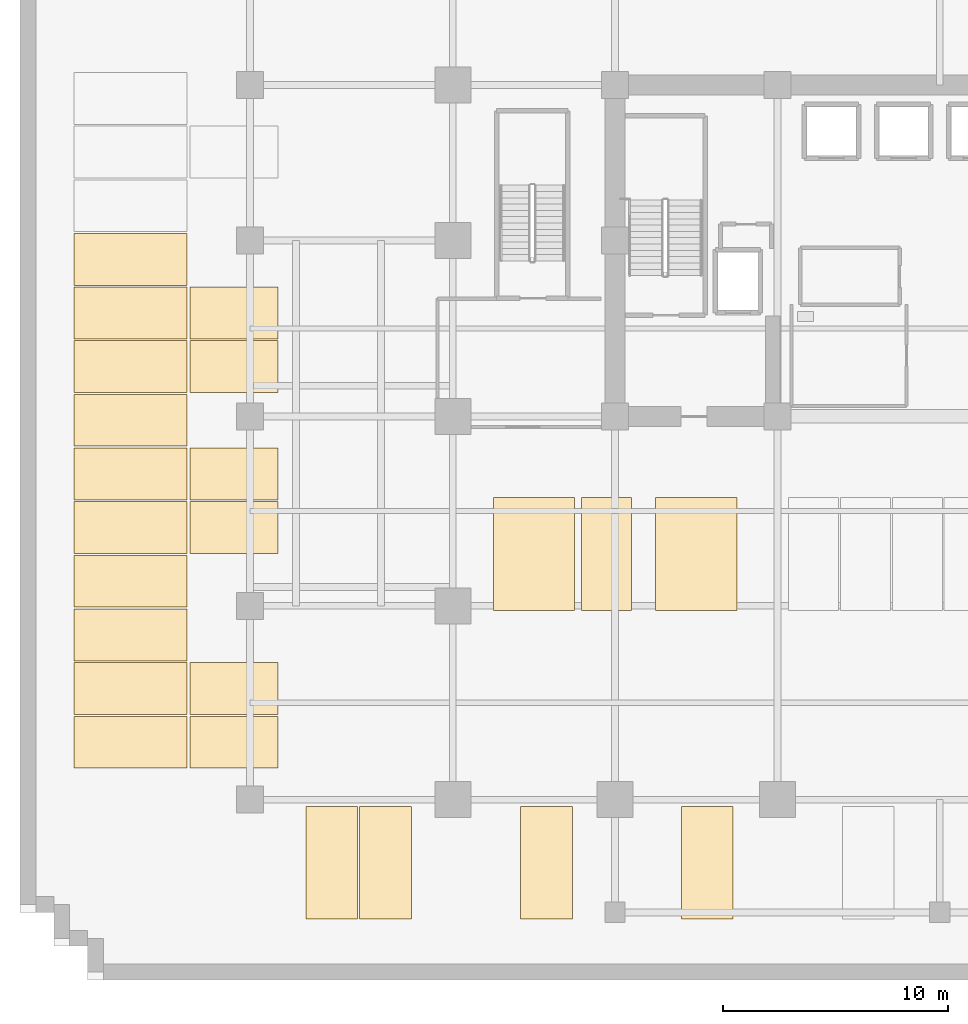
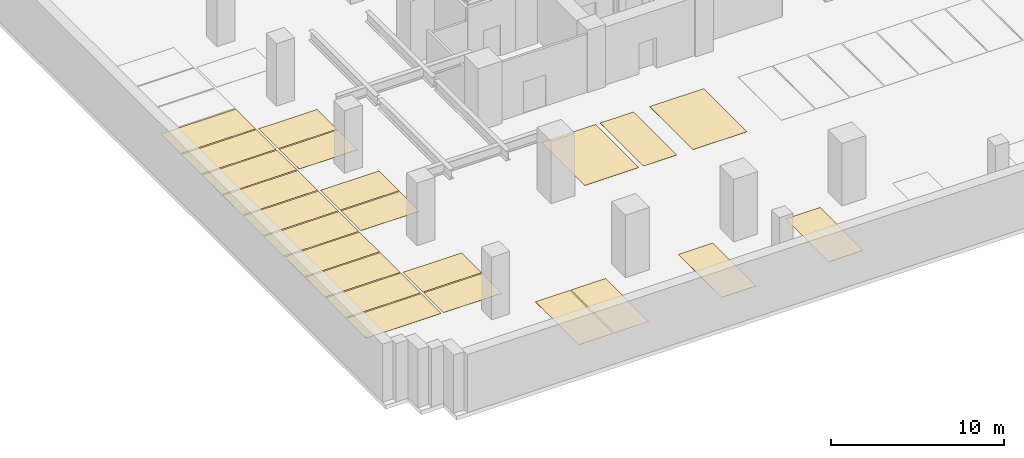
# One storey, part 7 of 14: 23 coverings.
"""IFC4 building model written with IfcOpenShell, lengths in metres."""

from ifc_helpers import new_model, si_unit, direction, frame, origin, place, context, subcontext, project, spatial, polyline, outline, extrude, material, layer, layer_set, type_object, element, save


model = new_model("IFC4")

# Units and contexts
model_context = context("Model", 3, precision=1e-05, world=origin(), true_north=direction((0.0, 1.0)))
body_context = subcontext(model_context, "Body", "Model", "MODEL_VIEW")
ifc_project = project(units=[si_unit("LENGTHUNIT", "METRE"), si_unit("AREAUNIT", "SQUARE_METRE"), si_unit("VOLUMEUNIT", "CUBIC_METRE"), si_unit("PLANEANGLEUNIT", "RADIAN"), si_unit("MASSUNIT", "GRAM", prefix="KILO")], contexts=[model_context])

# Site, building, storey
site_placement = place(None, origin())
site = spatial("IfcSite", under=ifc_project, at=site_placement, CompositionType="ELEMENT")
building_placement = place(site_placement, origin())
building = spatial("IfcBuilding", under=site, at=building_placement, Name="Zarnakvel Exchange Tower", CompositionType="ELEMENT")
storey_placement = place(building_placement, frame((0.0, 0.0, -4.39990234375)))
storey = spatial("IfcBuildingStorey", under=building, at=storey_placement, Name="B01", CompositionType="ELEMENT", Elevation=-4.39990234375)

# Coverings
ifc_material = material(Name="Thermoplastic Acrylic Bay Marking", Category="finish")
ifc_layer_1 = layer(ifc_material, 0.010009765625)
ifc_layer_set_1 = layer_set([ifc_layer_1], Name="Thermoplastic Acrylic Bay Marking")
covering_type_1 = type_object("IfcCoveringType", Name="MK-01", PredefinedType="FLOORING", material=ifc_layer_set_1)
covering_1_placement = place(storey_placement, origin())
element("IfcCovering", 1, at=covering_1_placement, inside=storey, type_object=covering_type_1, Name="B01 Standard Parking Bay Marking B01-03", PredefinedType="FLOORING", context=body_context, shape_type="SweptSolid", body=[
    extrude(outline(polyline([(-28.1201171875, -23.5), (-25.820068359375, -23.5), (-25.820068359375, -18.5), (-28.1201171875, -18.5), (-28.1201171875, -23.5)])), origin(), (0.0, 0.0, 1.0), 0.010009765625),
])
covering_2_placement = place(storey_placement, origin())
element("IfcCovering", 2, at=covering_2_placement, inside=storey, type_object=covering_type_1, Name="B01 Standard Parking Bay Marking B01-04", PredefinedType="FLOORING", context=body_context, shape_type="SweptSolid", body=[
    extrude(outline(polyline([(-25.739990234375, -23.5), (-23.43994140625, -23.5), (-23.43994140625, -18.5), (-25.739990234375, -18.5), (-25.739990234375, -23.5)])), origin(), (0.0, 0.0, 1.0), 0.010009765625),
])
covering_3_placement = place(storey_placement, origin())
element("IfcCovering", 3, at=covering_3_placement, inside=storey, type_object=covering_type_1, Name="B01 Standard Parking Bay Marking B01-05", PredefinedType="FLOORING", context=body_context, shape_type="SweptSolid", body=[
    extrude(outline(polyline([(-18.60009765625, -23.5), (-16.300048828125, -23.5), (-16.300048828125, -18.5), (-18.60009765625, -18.5), (-18.60009765625, -23.5)])), origin(), (0.0, 0.0, 1.0), 0.010009765625),
])
covering_4_placement = place(storey_placement, origin())
element("IfcCovering", 4, at=covering_4_placement, inside=storey, type_object=covering_type_1, Name="B01 Standard Parking Bay Marking B01-06", PredefinedType="FLOORING", context=body_context, shape_type="SweptSolid", body=[
    extrude(outline(polyline([(-11.4599609375, -23.5), (-9.159912109375, -23.5), (-9.159912109375, -18.5), (-11.4599609375, -18.5), (-11.4599609375, -23.5)])), origin(), (0.0, 0.0, 1.0), 0.010009765625),
])
covering_5_placement = place(storey_placement, origin())
element("IfcCovering", 5, at=covering_5_placement, inside=storey, type_object=covering_type_1, Name="B01 Standard Parking Bay Marking B01-13", PredefinedType="FLOORING", context=body_context, shape_type="SweptSolid", body=[
    extrude(outline(polyline([(-15.89990234375, -9.800048828125), (-13.679931640625, -9.800048828125), (-13.679931640625, -4.800048828125), (-15.89990234375, -4.800048828125), (-15.89990234375, -9.800048828125)])), origin(), (0.0, 0.0, 1.0), 0.010009765625),
])
covering_6_placement = place(storey_placement, origin())
element("IfcCovering", 6, at=covering_6_placement, inside=storey, type_object=covering_type_1, Name="B01 Standard Parking Bay Marking B01-25", PredefinedType="FLOORING", context=body_context, shape_type="SweptSolid", body=[
    extrude(outline(polyline([(-38.39990234375, -16.800048828125), (-33.39990234375, -16.800048828125), (-33.39990234375, -14.5), (-38.39990234375, -14.5), (-38.39990234375, -16.800048828125)])), origin(), (0.0, 0.0, 1.0), 0.010009765625),
])
covering_7_placement = place(storey_placement, origin())
element("IfcCovering", 7, at=covering_7_placement, inside=storey, type_object=covering_type_1, Name="B01 Standard Parking Bay Marking B01-26", PredefinedType="FLOORING", context=body_context, shape_type="SweptSolid", body=[
    extrude(outline(polyline([(-38.39990234375, -14.419921875), (-33.39990234375, -14.419921875), (-33.39990234375, -12.1201171875), (-38.39990234375, -12.1201171875), (-38.39990234375, -14.419921875)])), origin(), (0.0, 0.0, 1.0), 0.010009765625),
])
covering_8_placement = place(storey_placement, origin())
element("IfcCovering", 8, at=covering_8_placement, inside=storey, type_object=covering_type_1, Name="B01 Standard Parking Bay Marking B01-27", PredefinedType="FLOORING", context=body_context, shape_type="SweptSolid", body=[
    extrude(outline(polyline([(-38.39990234375, -12.0400390625), (-33.39990234375, -12.0400390625), (-33.39990234375, -9.739990234375), (-38.39990234375, -9.739990234375), (-38.39990234375, -12.0400390625)])), origin(), (0.0, 0.0, 1.0), 0.010009765625),
])
covering_9_placement = place(storey_placement, origin())
element("IfcCovering", 9, at=covering_9_placement, inside=storey, type_object=covering_type_1, Name="B01 Standard Parking Bay Marking B01-28", PredefinedType="FLOORING", context=body_context, shape_type="SweptSolid", body=[
    extrude(outline(polyline([(-38.39990234375, -9.659912109375), (-33.39990234375, -9.659912109375), (-33.39990234375, -7.360107421875), (-38.39990234375, -7.360107421875), (-38.39990234375, -9.659912109375)])), origin(), (0.0, 0.0, 1.0), 0.010009765625),
])
covering_10_placement = place(storey_placement, origin())
element("IfcCovering", 10, at=covering_10_placement, inside=storey, type_object=covering_type_1, Name="B01 Standard Parking Bay Marking B01-29", PredefinedType="FLOORING", context=body_context, shape_type="SweptSolid", body=[
    extrude(outline(polyline([(-38.39990234375, -7.280029296875), (-33.39990234375, -7.280029296875), (-33.39990234375, -4.97998046875), (-38.39990234375, -4.97998046875), (-38.39990234375, -7.280029296875)])), origin(), (0.0, 0.0, 1.0), 0.010009765625),
])
covering_11_placement = place(storey_placement, origin())
element("IfcCovering", 11, at=covering_11_placement, inside=storey, type_object=covering_type_1, Name="B01 Standard Parking Bay Marking B01-30", PredefinedType="FLOORING", context=body_context, shape_type="SweptSolid", body=[
    extrude(outline(polyline([(-38.39990234375, -4.89990234375), (-33.39990234375, -4.89990234375), (-33.39990234375, -2.60009765625), (-38.39990234375, -2.60009765625), (-38.39990234375, -4.89990234375)])), origin(), (0.0, 0.0, 1.0), 0.010009765625),
])
covering_12_placement = place(storey_placement, origin())
element("IfcCovering", 12, at=covering_12_placement, inside=storey, type_object=covering_type_1, Name="B01 Standard Parking Bay Marking B01-31", PredefinedType="FLOORING", context=body_context, shape_type="SweptSolid", body=[
    extrude(outline(polyline([(-38.39990234375, -2.52001953125), (-33.39990234375, -2.52001953125), (-33.39990234375, -0.219970703125), (-38.39990234375, -0.219970703125), (-38.39990234375, -2.52001953125)])), origin(), (0.0, 0.0, 1.0), 0.010009765625),
])
covering_13_placement = place(storey_placement, origin())
element("IfcCovering", 13, at=covering_13_placement, inside=storey, type_object=covering_type_1, Name="B01 Standard Parking Bay Marking B01-32", PredefinedType="FLOORING", context=body_context, shape_type="SweptSolid", body=[
    extrude(outline(polyline([(-38.39990234375, -0.139892578125), (-33.39990234375, -0.139892578125), (-33.39990234375, 2.159912109375), (-38.39990234375, 2.159912109375), (-38.39990234375, -0.139892578125)])), origin(), (0.0, 0.0, 1.0), 0.010009765625),
])
covering_14_placement = place(storey_placement, origin())
element("IfcCovering", 14, at=covering_14_placement, inside=storey, type_object=covering_type_1, Name="B01 Standard Parking Bay Marking B01-33", PredefinedType="FLOORING", context=body_context, shape_type="SweptSolid", body=[
    extrude(outline(polyline([(-38.39990234375, 2.239990234375), (-33.39990234375, 2.239990234375), (-33.39990234375, 4.5400390625), (-38.39990234375, 4.5400390625), (-38.39990234375, 2.239990234375)])), origin(), (0.0, 0.0, 1.0), 0.010009765625),
])
covering_15_placement = place(storey_placement, origin())
element("IfcCovering", 15, at=covering_15_placement, inside=storey, type_object=covering_type_1, Name="B01 Standard Parking Bay Marking B01-34", PredefinedType="FLOORING", context=body_context, shape_type="SweptSolid", body=[
    extrude(outline(polyline([(-38.39990234375, 4.6201171875), (-33.39990234375, 4.6201171875), (-33.39990234375, 6.919921875), (-38.39990234375, 6.919921875), (-38.39990234375, 4.6201171875)])), origin(), (0.0, 0.0, 1.0), 0.010009765625),
])
covering_16_placement = place(storey_placement, origin())
element("IfcCovering", 16, at=covering_16_placement, inside=storey, type_object=covering_type_1, Name="B01 Standard Parking Bay Marking B01-40", PredefinedType="FLOORING", context=body_context, shape_type="SweptSolid", body=[
    extrude(outline(polyline([(-33.25, -16.800048828125), (-29.35009765625, -16.800048828125), (-29.35009765625, -14.5), (-33.25, -14.5), (-33.25, -16.800048828125)])), origin(), (0.0, 0.0, 1.0), 0.010009765625),
])
covering_17_placement = place(storey_placement, origin())
element("IfcCovering", 17, at=covering_17_placement, inside=storey, type_object=covering_type_1, Name="B01 Standard Parking Bay Marking B01-41", PredefinedType="FLOORING", context=body_context, shape_type="SweptSolid", body=[
    extrude(outline(polyline([(-33.25, -14.419921875), (-29.35009765625, -14.419921875), (-29.35009765625, -12.1201171875), (-33.25, -12.1201171875), (-33.25, -14.419921875)])), origin(), (0.0, 0.0, 1.0), 0.010009765625),
])
covering_18_placement = place(storey_placement, origin())
element("IfcCovering", 18, at=covering_18_placement, inside=storey, type_object=covering_type_1, Name="B01 Standard Parking Bay Marking B01-42", PredefinedType="FLOORING", context=body_context, shape_type="SweptSolid", body=[
    extrude(outline(polyline([(-33.25, -7.280029296875), (-29.35009765625, -7.280029296875), (-29.35009765625, -4.97998046875), (-33.25, -4.97998046875), (-33.25, -7.280029296875)])), origin(), (0.0, 0.0, 1.0), 0.010009765625),
])
covering_19_placement = place(storey_placement, origin())
element("IfcCovering", 19, at=covering_19_placement, inside=storey, type_object=covering_type_1, Name="B01 Standard Parking Bay Marking B01-43", PredefinedType="FLOORING", context=body_context, shape_type="SweptSolid", body=[
    extrude(outline(polyline([(-33.25, -4.89990234375), (-29.35009765625, -4.89990234375), (-29.35009765625, -2.60009765625), (-33.25, -2.60009765625), (-33.25, -4.89990234375)])), origin(), (0.0, 0.0, 1.0), 0.010009765625),
])
covering_20_placement = place(storey_placement, origin())
element("IfcCovering", 20, at=covering_20_placement, inside=storey, type_object=covering_type_1, Name="B01 Standard Parking Bay Marking B01-44", PredefinedType="FLOORING", context=body_context, shape_type="SweptSolid", body=[
    extrude(outline(polyline([(-33.25, -0.139892578125), (-29.35009765625, -0.139892578125), (-29.35009765625, 2.159912109375), (-33.25, 2.159912109375), (-33.25, -0.139892578125)])), origin(), (0.0, 0.0, 1.0), 0.010009765625),
])
covering_21_placement = place(storey_placement, origin())
element("IfcCovering", 21, at=covering_21_placement, inside=storey, type_object=covering_type_1, Name="B01 Standard Parking Bay Marking B01-45", PredefinedType="FLOORING", context=body_context, shape_type="SweptSolid", body=[
    extrude(outline(polyline([(-33.25, 2.239990234375), (-29.35009765625, 2.239990234375), (-29.35009765625, 4.5400390625), (-33.25, 4.5400390625), (-33.25, 2.239990234375)])), origin(), (0.0, 0.0, 1.0), 0.010009765625),
])
ifc_layer_2 = layer(ifc_material, 0.010009765625)
ifc_layer_set_2 = layer_set([ifc_layer_2], Name="Thermoplastic Acrylic Bay Marking")
covering_type_2 = type_object("IfcCoveringType", Name="MK-02", PredefinedType="FLOORING", material=ifc_layer_set_2)
covering_22_placement = place(storey_placement, origin())
element("IfcCovering", 22, at=covering_22_placement, inside=storey, type_object=covering_type_2, Name="B01 Accessible Parking Bay Marking OKU-07", PredefinedType="FLOORING", context=body_context, shape_type="SweptSolid", body=[
    extrude(outline(polyline([(-19.800048828125, -9.800048828125), (-16.199951171875, -9.800048828125), (-16.199951171875, -4.800048828125), (-19.800048828125, -4.800048828125), (-19.800048828125, -9.800048828125)])), origin(), (0.0, 0.0, 1.0), 0.010009765625),
])
covering_23_placement = place(storey_placement, origin())
element("IfcCovering", 23, at=covering_23_placement, inside=storey, type_object=covering_type_2, Name="B01 Accessible Parking Bay Marking OKU-08", PredefinedType="FLOORING", context=body_context, shape_type="SweptSolid", body=[
    extrude(outline(polyline([(-12.60009765625, -9.800048828125), (-9.0, -9.800048828125), (-9.0, -4.800048828125), (-12.60009765625, -4.800048828125), (-12.60009765625, -9.800048828125)])), origin(), (0.0, 0.0, 1.0), 0.010009765625),
])

save(model, "model.ifc")
